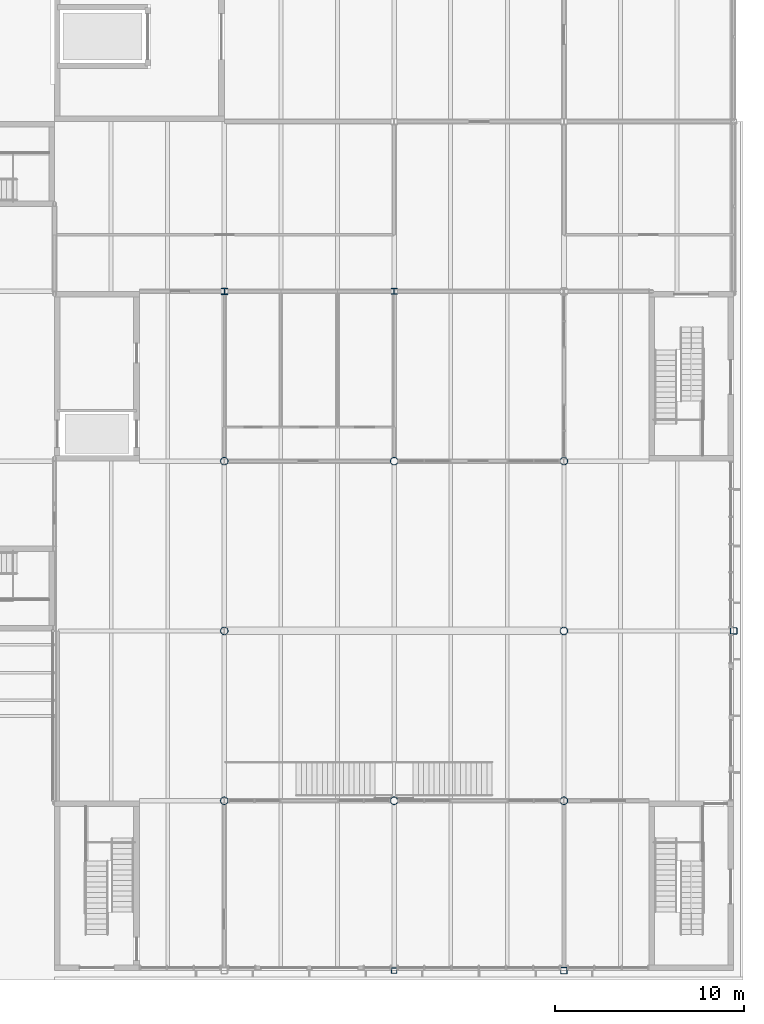
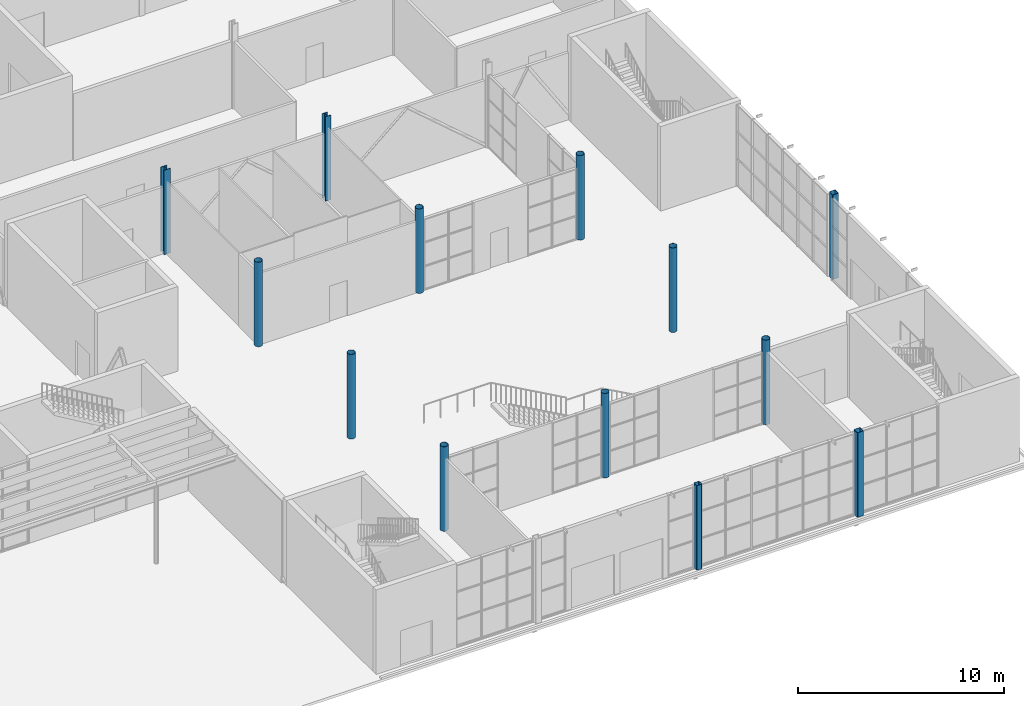
# One storey, part 8 of 63: 13 columns.
"""IFC4 building model written with IfcOpenShell, lengths in metres."""

from ifc_helpers import new_model, si_unit, direction, frame, origin, origin_2d, place, context, subcontext, project, spatial, hollow_rectangle, hollow_circle, i_section, extrude, material, material_profile, profile_set, type_object, element, save


model = new_model("IFC4")

# Units and contexts
model_context = context("Model", 3, precision=1e-05, world=origin(), true_north=direction((0.0, 1.0)))
body_context = subcontext(model_context, "Body", "Model", "MODEL_VIEW")
ifc_project = project(units=[si_unit("LENGTHUNIT", "METRE"), si_unit("AREAUNIT", "SQUARE_METRE"), si_unit("VOLUMEUNIT", "CUBIC_METRE"), si_unit("PLANEANGLEUNIT", "RADIAN"), si_unit("MASSUNIT", "GRAM", prefix="KILO")], contexts=[model_context])

# Site, building, storey
site_placement = place(None, origin())
site = spatial("IfcSite", under=ifc_project, at=site_placement, CompositionType="ELEMENT")
building_placement = place(site_placement, origin())
building = spatial("IfcBuilding", under=site, at=building_placement, Name="Halyard Row Museum", CompositionType="ELEMENT")
storey_placement = place(building_placement, origin())
storey = spatial("IfcBuildingStorey", under=building, at=storey_placement, Name="L00", CompositionType="ELEMENT", Elevation=0.0)

# Columns
ifc_material_1 = material(Name="Steel Grade C350L0", Category="steel")
ifc_material_profile_1 = material_profile(ifc_material_1, hollow_rectangle(XDim=0.300048828125, YDim=0.300048828125, WallThickness=0.01611328125, InnerFilletRadius=0.02392578125, OuterFilletRadius=0.0400390625, at=origin_2d()), Name="300x300x16.0SHS")
ifc_profile_set_1 = profile_set([ifc_material_profile_1], Name="Steel Grade C350L0")
column_type_1 = type_object("IfcColumnType", Name="Column 300x300x16.0SHS edge", PredefinedType="COLUMN", material=ifc_profile_set_1)
column_1_placement = place(storey_placement, frame((90.0, 0.0, 0.0), z_axis=(0.0, 0.0, 1.0), x_axis=(1.0, 0.0, 0.0)))
element("IfcColumn", 1, at=column_1_placement, inside=storey, type_object=column_type_1, Name="Column 11A L00", PredefinedType="COLUMN", context=body_context, shape_type="SweptSolid", body=[
    extrude(hollow_rectangle(XDim=0.300048828125, YDim=0.300048828125, WallThickness=0.01611328125, InnerFilletRadius=0.02392578125, OuterFilletRadius=0.0400390625, at=origin_2d()), origin(), (0.0, 0.0, 1.0), 5.0),
])
ifc_material_2 = material(Name="Steel Grade 300", Category="steel")
ifc_material_profile_2 = material_profile(ifc_material_2, i_section(OverallWidth=0.31103515625, OverallDepth=0.3271484375, WebThickness=0.015625, FlangeThickness=0.02490234375, FilletRadius=0.0166015625, at=origin_2d()), Name="310UC158")
ifc_profile_set_2 = profile_set([ifc_material_profile_2], Name="Steel Grade 300")
column_type_2 = type_object("IfcColumnType", Name="Column 310UC158 interior", PredefinedType="COLUMN", material=ifc_profile_set_2)
column_2_placement = place(storey_placement, frame((90.0, 36.0, 0.0), z_axis=(0.0, 0.0, 1.0), x_axis=(1.0, 0.0, 0.0)))
element("IfcColumn", 2, at=column_2_placement, inside=storey, type_object=column_type_2, Name="Column 11E L00", PredefinedType="COLUMN", context=body_context, shape_type="SweptSolid", body=[
    extrude(i_section(OverallWidth=0.31103515625, OverallDepth=0.3271484375, WebThickness=0.015625, FlangeThickness=0.02490234375, FilletRadius=0.0166015625, at=origin_2d()), origin(), (0.0, 0.0, 1.0), 5.0),
])
ifc_material_3 = material(Name="Steel Grade 300", Category="steel")
ifc_material_profile_3 = material_profile(ifc_material_3, i_section(OverallWidth=0.35009765625, OverallDepth=0.339111328125, WebThickness=0.02490234375, FlangeThickness=0.031982421875, at=origin_2d()), Name="350WC230")
ifc_profile_set_3 = profile_set([ifc_material_profile_3], Name="Steel Grade 300")
column_type_3 = type_object("IfcColumnType", Name="Column 350WC230 interior", PredefinedType="COLUMN", material=ifc_profile_set_3)
column_3_placement = place(storey_placement, frame((81.0, 36.0, 0.0), z_axis=(0.0, 0.0, 1.0), x_axis=(1.0, 0.0, 0.0)))
element("IfcColumn", 3, at=column_3_placement, inside=storey, type_object=column_type_3, Name="Column 10E L00", PredefinedType="COLUMN", context=body_context, shape_type="SweptSolid", body=[
    extrude(i_section(OverallWidth=0.35009765625, OverallDepth=0.339111328125, WebThickness=0.02490234375, FlangeThickness=0.031982421875, at=origin_2d()), origin(), (0.0, 0.0, 1.0), 5.0),
])
ifc_material_4 = material(Name="Steel Grade C350L0", Category="steel")
ifc_material_profile_4 = material_profile(ifc_material_4, hollow_rectangle(XDim=0.35009765625, YDim=0.35009765625, WallThickness=0.01611328125, InnerFilletRadius=0.02392578125, OuterFilletRadius=0.0400390625, at=origin_2d()), Name="350x350x16.0SHS")
ifc_profile_set_4 = profile_set([ifc_material_profile_4], Name="Steel Grade C350L0")
column_type_4 = type_object("IfcColumnType", Name="Column 350x350x16.0SHS edge", PredefinedType="COLUMN", material=ifc_profile_set_4)
for number, where, z_axis, x_axis, name in (
    (4, (99.0, 0.0, 0.0), (0.0, 0.0, 1.0), (1.0, 0.0, 0.0), "Column 12A L00"),
    (5, (108.0, 18.0, 0.0), (0.0, 0.0, 1.0), (1.0, 0.0, 0.0), "Column 13C L00"),
):
    element("IfcColumn", number, at=place(storey_placement, frame(where, z_axis=z_axis, x_axis=x_axis)), inside=storey, type_object=column_type_4, Name=name, PredefinedType="COLUMN", context=body_context, shape_type="SweptSolid", body=[
        extrude(hollow_rectangle(XDim=0.35009765625, YDim=0.35009765625, WallThickness=0.01611328125, InnerFilletRadius=0.02392578125, OuterFilletRadius=0.0400390625, at=origin_2d()), origin(), (0.0, 0.0, 1.0), 5.0),
    ])
ifc_material_5 = material(Name="Steel Grade C350L0", Category="steel")
ifc_material_profile_5 = material_profile(ifc_material_5, hollow_circle(Radius=0.203125, WallThickness=0.0126953125, at=origin_2d()), Name="406.4x12.7CHS")
ifc_profile_set_5 = profile_set([ifc_material_profile_5], Name="Steel Grade C350L0")
column_type_5 = type_object("IfcColumnType", Name="Column 406.4x12.7CHS atrium", PredefinedType="COLUMN", material=ifc_profile_set_5)
for number, where, z_axis, x_axis, name in (
    (6, (81.0, 9.0, 0.0), (0.0, 0.0, 1.0), (1.0, 0.0, 0.0), "Column 10B L00"),
    (7, (90.0, 9.0, 0.0), (0.0, 0.0, 1.0), (1.0, 0.0, 0.0), "Column 11B L00"),
    (8, (99.0, 9.0, 0.0), (0.0, 0.0, 1.0), (1.0, 0.0, 0.0), "Column 12B L00"),
    (9, (81.0, 18.0, 0.0), (0.0, 0.0, 1.0), (1.0, 0.0, 0.0), "Column 10C L00"),
    (10, (99.0, 18.0, 0.0), (0.0, 0.0, 1.0), (1.0, 0.0, 0.0), "Column 12C L00"),
    (11, (81.0, 27.0, 0.0), (0.0, 0.0, 1.0), (1.0, 0.0, 0.0), "Column 10D L00"),
    (12, (90.0, 27.0, 0.0), (0.0, 0.0, 1.0), (1.0, 0.0, 0.0), "Column 11D L00"),
    (13, (99.0, 27.0, 0.0), (0.0, 0.0, 1.0), (1.0, 0.0, 0.0), "Column 12D L00"),
):
    element("IfcColumn", number, at=place(storey_placement, frame(where, z_axis=z_axis, x_axis=x_axis)), inside=storey, type_object=column_type_5, Name=name, PredefinedType="COLUMN", context=body_context, shape_type="SweptSolid", body=[
        extrude(hollow_circle(Radius=0.203125, WallThickness=0.0126953125, at=origin_2d()), origin(), (0.0, 0.0, 1.0), 5.0),
    ])

save(model, "model.ifc")
